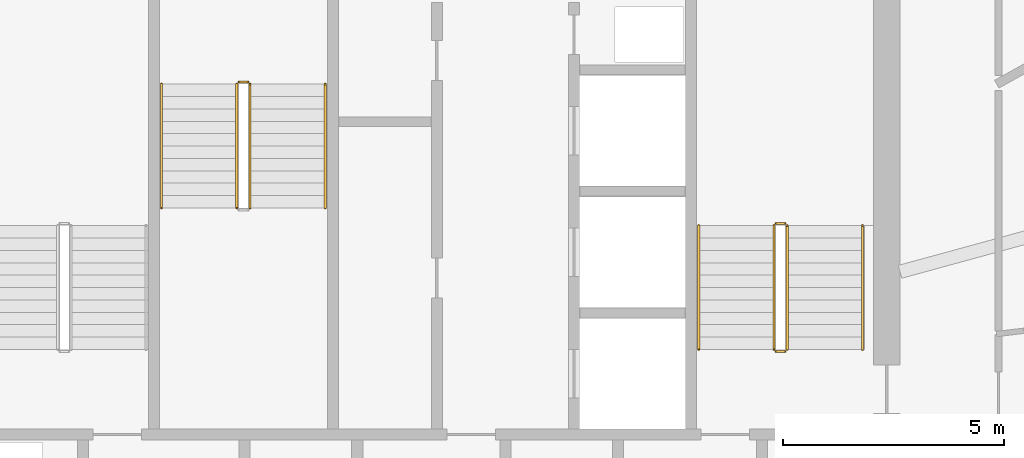
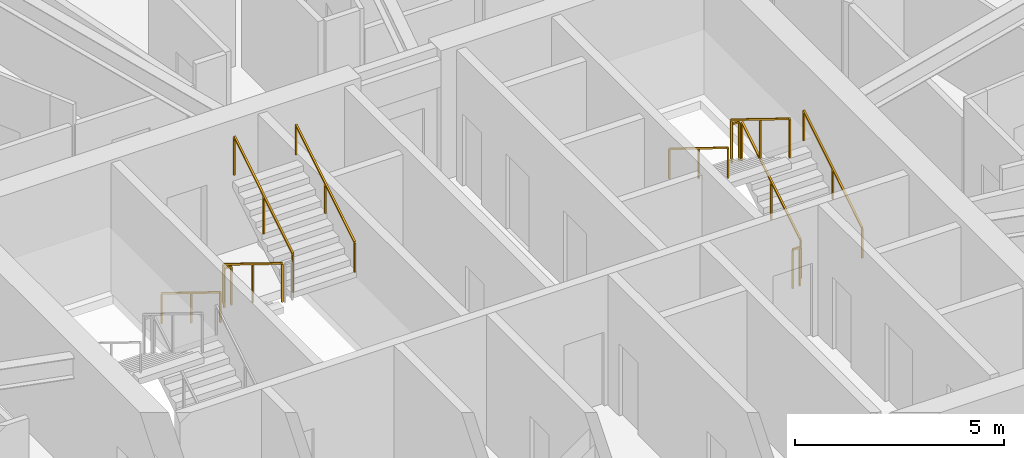
# One storey, part 25 of 26: 11 railings.
"""IFC4 building model written with IfcOpenShell, lengths in metres."""

from ifc_helpers import new_model, si_unit, direction, frame, origin, origin_2d, place, context, subcontext, project, spatial, rectangle, extrude, material, type_object, element, save


model = new_model("IFC4")

# Units and contexts
model_context = context("Model", 3, precision=1e-05, world=origin(), true_north=direction((0.0, 1.0)))
body_context = subcontext(model_context, "Body", "Model", "MODEL_VIEW")
ifc_project = project(units=[si_unit("LENGTHUNIT", "METRE"), si_unit("AREAUNIT", "SQUARE_METRE"), si_unit("VOLUMEUNIT", "CUBIC_METRE"), si_unit("PLANEANGLEUNIT", "RADIAN"), si_unit("MASSUNIT", "GRAM", prefix="KILO")], contexts=[model_context])

# Site, building, storey
site_placement = place(None, origin())
site = spatial("IfcSite", under=ifc_project, at=site_placement, CompositionType="ELEMENT")
building_placement = place(site_placement, origin())
building = spatial("IfcBuilding", under=site, at=building_placement, Name="Zuhravey Tower", CompositionType="ELEMENT")
storey_placement = place(building_placement, frame((0.0, 0.0, 273.0)))
storey = spatial("IfcBuildingStorey", under=building, at=storey_placement, Name="L69", CompositionType="ELEMENT", Elevation=273.0)

# Railings
ifc_material_1 = material(Name="Brushed stainless steel", Category="steel")
railing_type_1 = type_object("IfcRailingType", Name="Stair Wall Handrail 900", PredefinedType="HANDRAIL", material=ifc_material_1)
railing_1_placement = place(storey_placement, frame((45.949951171875, 33.199951171875, 0.172607421875)))
element("IfcRailing", 1, at=railing_1_placement, inside=storey, type_object=railing_type_1, Name="L69 ST2 stair handrail 1", PredefinedType="HANDRAIL", context=body_context, shape_type="SweptSolid", body=[
    extrude(rectangle(XDim=0.048095703125, YDim=0.048095703125, at=origin_2d()), frame((0.0, 0.001708984375, 0.876953125), z_axis=(0.0, 0.851089632645, 0.525020415988), x_axis=(-1.0, 0.0, 0.0)), (0.0, 0.0, 1.0), 3.285888671875),
    extrude(rectangle(XDim=0.0419921875, YDim=0.0419921875, at=origin_2d()), origin(), (0.0, 0.0, 1.0), 0.849853515625),
    extrude(rectangle(XDim=0.0419921875, YDim=0.0419921875, at=origin_2d()), frame((0.0, 1.39990234375, 0.86376953125)), (0.0, 0.0, 1.0), 0.849853515625),
    extrude(rectangle(XDim=0.0419921875, YDim=0.0419921875, at=origin_2d()), frame((0.0, 2.800048828125, 1.727294921875)), (0.0, 0.0, 1.0), 0.849853515625),
])
for number, where, name in (
    (2, (42.25, 36.0, 2.07275390625), "L69 ST2 stair handrail 2"),
    (3, (30.10009765625, 39.199951171875, 0.172607421875), "L69 ST3 stair handrail 1"),
):
    element("IfcRailing", number, at=place(storey_placement, frame(where)), inside=storey, type_object=railing_type_1, Name=name, PredefinedType="HANDRAIL", context=body_context, shape_type="SweptSolid", body=[
        extrude(rectangle(XDim=0.048095703125, YDim=0.048095703125, at=origin_2d()), frame((0.0, -0.001708984375, 0.876953125), z_axis=(0.0, -0.851089632645, 0.525020415988), x_axis=(1.0, 0.0, 0.0)), (0.0, 0.0, 1.0), 3.285888671875),
        extrude(rectangle(XDim=0.0419921875, YDim=0.0419921875, at=origin_2d()), origin(), (0.0, 0.0, 1.0), 0.849853515625),
        extrude(rectangle(XDim=0.0419921875, YDim=0.0419921875, at=origin_2d()), frame((0.0, -1.39990234375, 0.86376953125)), (0.0, 0.0, 1.0), 0.849853515625),
        extrude(rectangle(XDim=0.0419921875, YDim=0.0419921875, at=origin_2d()), frame((0.0, -2.800048828125, 1.727294921875)), (0.0, 0.0, 1.0), 0.849853515625),
    ])
railing_2_placement = place(storey_placement, frame((33.800048828125, 36.39990234375, 2.07275390625)))
element("IfcRailing", 4, at=railing_2_placement, inside=storey, type_object=railing_type_1, Name="L69 ST3 stair handrail 2", PredefinedType="HANDRAIL", context=body_context, shape_type="SweptSolid", body=[
    extrude(rectangle(XDim=0.048095703125, YDim=0.048095703125, at=origin_2d()), frame((0.0, 0.001708984375, 0.876953125), z_axis=(0.0, 0.851089632645, 0.525020415988), x_axis=(-1.0, 0.0, 0.0)), (0.0, 0.0, 1.0), 3.285888671875),
    extrude(rectangle(XDim=0.0419921875, YDim=0.0419921875, at=origin_2d()), origin(), (0.0, 0.0, 1.0), 0.849853515625),
    extrude(rectangle(XDim=0.0419921875, YDim=0.0419921875, at=origin_2d()), frame((0.0, 1.39990234375, 0.86376953125)), (0.0, 0.0, 1.0), 0.849853515625),
    extrude(rectangle(XDim=0.0419921875, YDim=0.0419921875, at=origin_2d()), frame((0.0, 2.800048828125, 1.727294921875)), (0.0, 0.0, 1.0), 0.849853515625),
])
ifc_material_2 = material(Name="Painted tubular steel", Category="steel")
railing_type_2 = type_object("IfcRailingType", Name="Stair Well Guardrail 1150", PredefinedType="GUARDRAIL", material=ifc_material_2)
railing_3_placement = place(storey_placement, frame((44.25, 33.199951171875, 0.172607421875)))
element("IfcRailing", 5, at=railing_3_placement, inside=storey, type_object=railing_type_2, Name="L69 ST2 stair guard 1", PredefinedType="GUARDRAIL", context=body_context, shape_type="SweptSolid", body=[
    extrude(rectangle(XDim=0.048095703125, YDim=0.048095703125, at=origin_2d()), frame((0.0, 0.001708984375, 1.126953125), z_axis=(0.0, 0.851089632645, 0.525020415988), x_axis=(-1.0, 0.0, 0.0)), (0.0, 0.0, 1.0), 3.285888671875),
    extrude(rectangle(XDim=0.0419921875, YDim=0.0419921875, at=origin_2d()), origin(), (0.0, 0.0, 1.0), 1.099853515625),
    extrude(rectangle(XDim=0.0419921875, YDim=0.0419921875, at=origin_2d()), frame((0.0, 1.39990234375, 0.86376953125)), (0.0, 0.0, 1.0), 1.099853515625),
    extrude(rectangle(XDim=0.0419921875, YDim=0.0419921875, at=origin_2d()), frame((0.0, 2.800048828125, 1.727294921875)), (0.0, 0.0, 1.0), 1.099853515625),
])
railing_4_placement = place(storey_placement, frame((44.199951171875, 36.050048828125, 1.89990234375)))
element("IfcRailing", 6, at=railing_4_placement, inside=storey, type_object=railing_type_2, Name="L69 ST2 stair guard 2", PredefinedType="GUARDRAIL", context=body_context, shape_type="SweptSolid", body=[
    extrude(rectangle(XDim=0.048095703125, YDim=0.048095703125, at=origin_2d()), frame((-0.001953125, 0.0, 1.1259765625), z_axis=(-1.0, 0.0, 0.0), x_axis=(0.0, -1.0, 0.0)), (0.0, 0.0, 1.0), 0.196044921875),
    extrude(rectangle(XDim=0.0419921875, YDim=0.0419921875, at=origin_2d()), origin(), (0.0, 0.0, 1.0), 1.099853515625),
    extrude(rectangle(XDim=0.0419921875, YDim=0.0419921875, at=origin_2d()), frame((-0.199951171875, 0.0, 0.0)), (0.0, 0.0, 1.0), 1.099853515625),
])
railing_5_placement = place(storey_placement, frame((43.949951171875, 36.0, 2.07275390625)))
element("IfcRailing", 7, at=railing_5_placement, inside=storey, type_object=railing_type_2, Name="L69 ST2 stair guard 3", PredefinedType="GUARDRAIL", context=body_context, shape_type="SweptSolid", body=[
    extrude(rectangle(XDim=0.048095703125, YDim=0.048095703125, at=origin_2d()), frame((0.0, -0.001708984375, 1.126953125), z_axis=(0.0, -0.851089632645, 0.525020415988), x_axis=(1.0, 0.0, 0.0)), (0.0, 0.0, 1.0), 3.285888671875),
    extrude(rectangle(XDim=0.0419921875, YDim=0.0419921875, at=origin_2d()), origin(), (0.0, 0.0, 1.0), 1.099853515625),
    extrude(rectangle(XDim=0.0419921875, YDim=0.0419921875, at=origin_2d()), frame((0.0, -1.39990234375, 0.86376953125)), (0.0, 0.0, 1.0), 1.099853515625),
    extrude(rectangle(XDim=0.0419921875, YDim=0.0419921875, at=origin_2d()), frame((0.0, -2.800048828125, 1.727294921875)), (0.0, 0.0, 1.0), 1.099853515625),
])
railing_6_placement = place(storey_placement, frame((44.199951171875, 33.14990234375, 0.0)))
element("IfcRailing", 8, at=railing_6_placement, inside=storey, type_object=railing_type_2, Name="L69 ST2 stair guard 4", PredefinedType="GUARDRAIL", context=body_context, shape_type="SweptSolid", body=[
    extrude(rectangle(XDim=0.048095703125, YDim=0.048095703125, at=origin_2d()), frame((-0.001953125, 0.0, 1.1259765625), z_axis=(-1.0, 0.0, 0.0), x_axis=(0.0, -1.0, 0.0)), (0.0, 0.0, 1.0), 0.196044921875),
    extrude(rectangle(XDim=0.0419921875, YDim=0.0419921875, at=origin_2d()), origin(), (0.0, 0.0, 1.0), 1.099853515625),
    extrude(rectangle(XDim=0.0419921875, YDim=0.0419921875, at=origin_2d()), frame((-0.199951171875, 0.0, 0.0)), (0.0, 0.0, 1.0), 1.099853515625),
])
railing_7_placement = place(storey_placement, frame((31.800048828125, 39.199951171875, 0.172607421875)))
element("IfcRailing", 9, at=railing_7_placement, inside=storey, type_object=railing_type_2, Name="L69 ST3 stair guard 1", PredefinedType="GUARDRAIL", context=body_context, shape_type="SweptSolid", body=[
    extrude(rectangle(XDim=0.048095703125, YDim=0.048095703125, at=origin_2d()), frame((0.0, -0.001708984375, 1.126953125), z_axis=(0.0, -0.851089632645, 0.525020415988), x_axis=(1.0, 0.0, 0.0)), (0.0, 0.0, 1.0), 3.285888671875),
    extrude(rectangle(XDim=0.0419921875, YDim=0.0419921875, at=origin_2d()), origin(), (0.0, 0.0, 1.0), 1.099853515625),
    extrude(rectangle(XDim=0.0419921875, YDim=0.0419921875, at=origin_2d()), frame((0.0, -1.39990234375, 0.86376953125)), (0.0, 0.0, 1.0), 1.099853515625),
    extrude(rectangle(XDim=0.0419921875, YDim=0.0419921875, at=origin_2d()), frame((0.0, -2.800048828125, 1.727294921875)), (0.0, 0.0, 1.0), 1.099853515625),
])
railing_8_placement = place(storey_placement, frame((32.10009765625, 36.39990234375, 2.07275390625)))
element("IfcRailing", 10, at=railing_8_placement, inside=storey, type_object=railing_type_2, Name="L69 ST3 stair guard 3", PredefinedType="GUARDRAIL", context=body_context, shape_type="SweptSolid", body=[
    extrude(rectangle(XDim=0.048095703125, YDim=0.048095703125, at=origin_2d()), frame((0.0, 0.001708984375, 1.126953125), z_axis=(0.0, 0.851089632645, 0.525020415988), x_axis=(-1.0, 0.0, 0.0)), (0.0, 0.0, 1.0), 3.285888671875),
    extrude(rectangle(XDim=0.0419921875, YDim=0.0419921875, at=origin_2d()), origin(), (0.0, 0.0, 1.0), 1.099853515625),
    extrude(rectangle(XDim=0.0419921875, YDim=0.0419921875, at=origin_2d()), frame((0.0, 1.39990234375, 0.86376953125)), (0.0, 0.0, 1.0), 1.099853515625),
    extrude(rectangle(XDim=0.0419921875, YDim=0.0419921875, at=origin_2d()), frame((0.0, 2.800048828125, 1.727294921875)), (0.0, 0.0, 1.0), 1.099853515625),
])
railing_9_placement = place(storey_placement, frame((31.85009765625, 39.25, 0.0)))
element("IfcRailing", 11, at=railing_9_placement, inside=storey, type_object=railing_type_2, Name="L69 ST3 stair guard 4", PredefinedType="GUARDRAIL", context=body_context, shape_type="SweptSolid", body=[
    extrude(rectangle(XDim=0.048095703125, YDim=0.048095703125, at=origin_2d()), frame((0.001953125, 0.0, 1.1259765625), z_axis=(1.0, 0.0, 0.0), x_axis=(0.0, 1.0, 0.0)), (0.0, 0.0, 1.0), 0.196044921875),
    extrude(rectangle(XDim=0.0419921875, YDim=0.0419921875, at=origin_2d()), origin(), (0.0, 0.0, 1.0), 1.099853515625),
    extrude(rectangle(XDim=0.0419921875, YDim=0.0419921875, at=origin_2d()), frame((0.199951171875, 0.0, 0.0)), (0.0, 0.0, 1.0), 1.099853515625),
])

save(model, "model.ifc")
